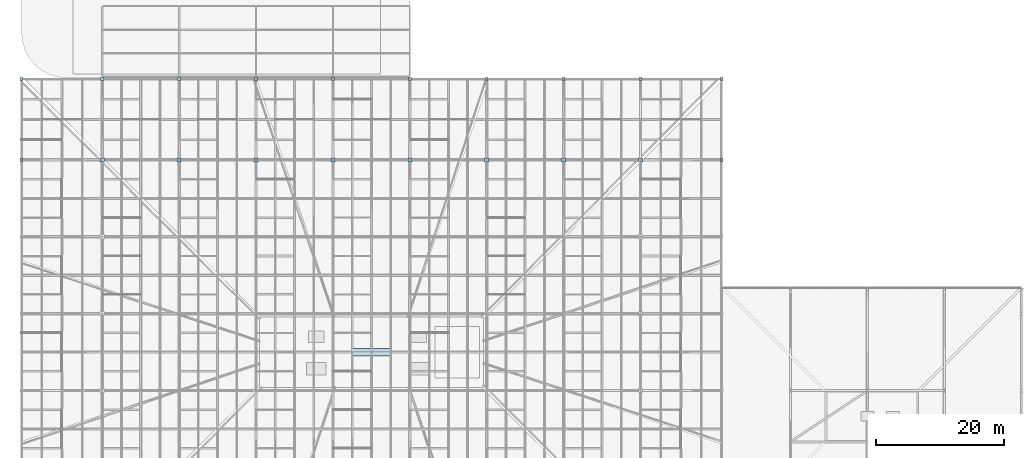
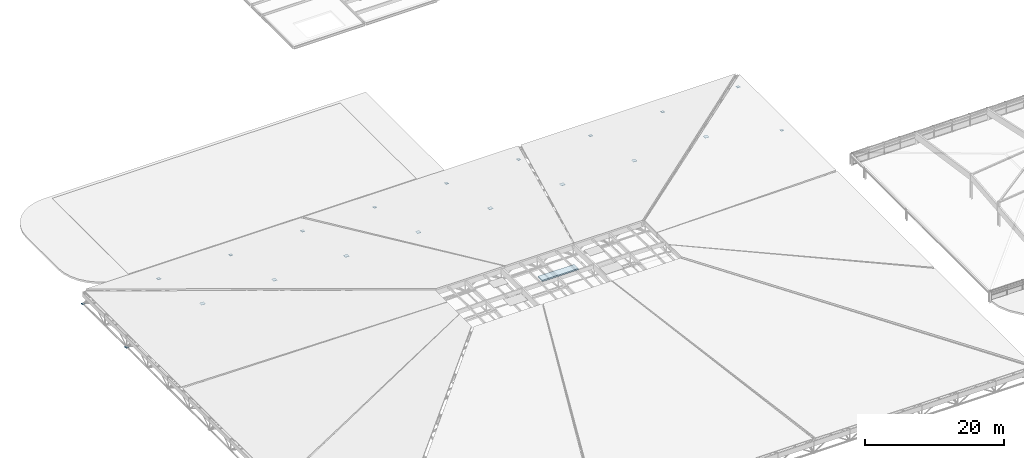
# One storey, part 78 of 80: 20 plates, 1 roof.
"""IFC4 building model written with IfcOpenShell, lengths in metres."""

from ifc_helpers import new_model, si_unit, direction, frame, origin, origin_2d, place, context, subcontext, project, spatial, rectangle, extrude, material, layer, layer_set, type_object, element, save


model = new_model("IFC4")

# Units and contexts
model_context = context("Model", 3, precision=1e-05, world=origin(), true_north=direction((0.0, 1.0)))
body_context = subcontext(model_context, "Body", "Model", "MODEL_VIEW")
ifc_project = project(units=[si_unit("LENGTHUNIT", "METRE"), si_unit("AREAUNIT", "SQUARE_METRE"), si_unit("VOLUMEUNIT", "CUBIC_METRE"), si_unit("PLANEANGLEUNIT", "RADIAN"), si_unit("MASSUNIT", "GRAM", prefix="KILO"), si_unit("THERMODYNAMICTEMPERATUREUNIT", "KELVIN"), si_unit("POWERUNIT", "WATT")], contexts=[model_context])

# Site, building, storey
site_placement = place(None, origin())
site = spatial("IfcSite", under=ifc_project, at=site_placement, CompositionType="ELEMENT")
building_placement = place(site_placement, origin())
building = spatial("IfcBuilding", under=site, at=building_placement, Name="Solmara Park Aquatics Centre", CompositionType="ELEMENT")
storey_placement = place(building_placement, frame((0.0, 0.0, 22.800048828125)))
storey = spatial("IfcBuildingStorey", under=building, at=storey_placement, Name="RF", CompositionType="ELEMENT", Elevation=22.800048828125)

# Plates
ifc_material_1 = material(Name="Structural Steel S355", Category="steel")
ifc_layer_1 = layer(ifc_material_1, 0.02490234375, Name="Structural Steel S355")
ifc_layer_set_1 = layer_set([ifc_layer_1], Name="Structural Steel S355")
plate_type_1 = type_object("IfcPlateType", Name="STR-PLT-CAP50", PredefinedType="SHEET", material=ifc_layer_set_1)
for number, where, z_axis, x_axis, name in (
    (1, (0.0, 85.199951171875, -14.41259765625), (0.0, 0.0, 1.0), (1.0, 0.0, 0.0), "Roof Truss Node Plate 0008"),
    (2, (24.60009765625, 85.199951171875, -14.41259765625), (0.0, 0.0, 1.0), (1.0, 0.0, 0.0), "Roof Truss Node Plate 0024"),
    (3, (48.60009765625, 85.199951171875, -14.41259765625), (0.0, 0.0, 1.0), (1.0, 0.0, 0.0), "Roof Truss Node Plate 0040"),
    (4, (72.60009765625, 85.199951171875, -14.41259765625), (0.0, 0.0, 1.0), (1.0, 0.0, 0.0), "Roof Truss Node Plate 0056"),
    (5, (96.60009765625, 85.199951171875, -14.41259765625), (0.0, 0.0, 1.0), (1.0, 0.0, 0.0), "Roof Truss Node Plate 0072"),
    (6, (109.199951171875, 72.60009765625, -14.41259765625), (0.0, 0.0, 1.0), (1.0, 0.0, 0.0), "Roof Truss Node Plate 0079"),
):
    element("IfcPlate", number, at=place(storey_placement, frame(where, z_axis=z_axis, x_axis=x_axis)), inside=storey, type_object=plate_type_1, Name=name, PredefinedType="SHEET", context=body_context, shape_type="SweptSolid", body=[
        extrude(rectangle(XDim=0.449951171875, YDim=0.449951171875, at=origin_2d()), origin(), (0.0, 0.0, 1.0), 0.02490234375),
    ])
ifc_layer_2 = layer(ifc_material_1, 0.031982421875, Name="Structural Steel S355")
ifc_layer_set_2 = layer_set([ifc_layer_2], Name="Structural Steel S355")
plate_type_2 = type_object("IfcPlateType", Name="STR-PLT-GUS60", PredefinedType="USERDEFINED", material=ifc_layer_set_2)
for number, where, z_axis, x_axis, name in (
    (7, (0.0, 72.60009765625, -14.416015625), (0.0, 0.0, 1.0), (1.0, 0.0, 0.0), "Roof Truss Node Plate 0007"),
    (8, (12.60009765625, 85.199951171875, -14.416015625), (0.0, 0.0, 1.0), (1.0, 0.0, 0.0), "Roof Truss Node Plate 0016"),
    (9, (36.60009765625, 85.199951171875, -14.416015625), (0.0, 0.0, 1.0), (1.0, 0.0, 0.0), "Roof Truss Node Plate 0032"),
    (10, (60.60009765625, 85.199951171875, -14.416015625), (0.0, 0.0, 1.0), (1.0, 0.0, 0.0), "Roof Truss Node Plate 0048"),
    (11, (84.60009765625, 85.199951171875, -14.416015625), (0.0, 0.0, 1.0), (1.0, 0.0, 0.0), "Roof Truss Node Plate 0064"),
    (12, (109.199951171875, 85.199951171875, -14.416015625), (0.0, 0.0, 1.0), (1.0, 0.0, 0.0), "Roof Truss Node Plate 0080"),
):
    element("IfcPlate", number, at=place(storey_placement, frame(where, z_axis=z_axis, x_axis=x_axis)), inside=storey, type_object=plate_type_2, Name=name, ObjectType="GUSSET PLATE", PredefinedType="USERDEFINED", context=body_context, shape_type="SweptSolid", body=[
        extrude(rectangle(XDim=0.47998046875, YDim=0.47998046875, at=origin_2d()), origin(), (0.0, 0.0, 1.0), 0.031982421875),
    ])
ifc_layer_3 = layer(ifc_material_1, 0.0400390625, Name="Structural Steel S355")
ifc_layer_set_3 = layer_set([ifc_layer_3], Name="Structural Steel S355")
plate_type_3 = type_object("IfcPlateType", Name="STR-PLT-SHOE80", PredefinedType="USERDEFINED", material=ifc_layer_set_3)
for number, where, z_axis, x_axis, name in (
    (13, (12.60009765625, 72.60009765625, -11.181396484375), (0.0, 0.0, 1.0), (1.0, 0.0, 0.0), "Gridshell Bearing Shoe Plate 0015"),
    (14, (24.60009765625, 72.60009765625, -11.181396484375), (0.0, 0.0, 1.0), (1.0, 0.0, 0.0), "Gridshell Bearing Shoe Plate 0023"),
    (15, (36.60009765625, 72.60009765625, -11.181396484375), (0.0, 0.0, 1.0), (1.0, 0.0, 0.0), "Gridshell Bearing Shoe Plate 0031"),
    (16, (48.60009765625, 72.60009765625, -11.181396484375), (0.0, 0.0, 1.0), (1.0, 0.0, 0.0), "Gridshell Bearing Shoe Plate 0039"),
    (17, (60.60009765625, 72.60009765625, -11.181396484375), (0.0, 0.0, 1.0), (1.0, 0.0, 0.0), "Gridshell Bearing Shoe Plate 0047"),
    (18, (72.60009765625, 72.60009765625, -11.181396484375), (0.0, 0.0, 1.0), (1.0, 0.0, 0.0), "Gridshell Bearing Shoe Plate 0055"),
    (19, (84.60009765625, 72.60009765625, -11.181396484375), (0.0, 0.0, 1.0), (1.0, 0.0, 0.0), "Gridshell Bearing Shoe Plate 0063"),
    (20, (96.60009765625, 72.60009765625, -11.181396484375), (0.0, 0.0, 1.0), (1.0, 0.0, 0.0), "Gridshell Bearing Shoe Plate 0071"),
):
    element("IfcPlate", number, at=place(storey_placement, frame(where, z_axis=z_axis, x_axis=x_axis)), inside=storey, type_object=plate_type_3, Name=name, ObjectType="GUSSET PLATE", PredefinedType="USERDEFINED", context=body_context, shape_type="SweptSolid", body=[
        extrude(rectangle(XDim=0.639892578125, YDim=0.639892578125, at=origin_2d()), origin(), (0.0, 0.0, 1.0), 0.0400390625),
    ])

# Roof
ifc_material_2 = material(Name="Glulam Timber GL28h", Category="wood")
ifc_layer_4 = layer(ifc_material_2, 0.239990234375, Name="Glulam Timber GL28h")
ifc_layer_set_4 = layer_set([ifc_layer_4], Name="Glulam Timber GL28h")
roof_type = type_object("IfcRoofType", Name="STR-ROOF-HIP", PredefinedType="HIP_ROOF", material=ifc_layer_set_4)
roof_placement = place(storey_placement, frame((54.60009765625, 42.60009765625, -2.419921875), z_axis=(0.0, 0.0, 1.0), x_axis=(1.0, 0.0, 0.0)))
element("IfcRoof", 21, at=roof_placement, inside=storey, type_object=roof_type, Name="Competition Hall Hipped Timber Gridshell Roof", PredefinedType="HIP_ROOF", context=body_context, shape_type="SweptSolid", body=[
    extrude(rectangle(XDim=6.0, YDim=1.199951171875, at=origin_2d()), origin(), (0.0, 0.0, 1.0), 0.239990234375),
])

save(model, "model.ifc")
